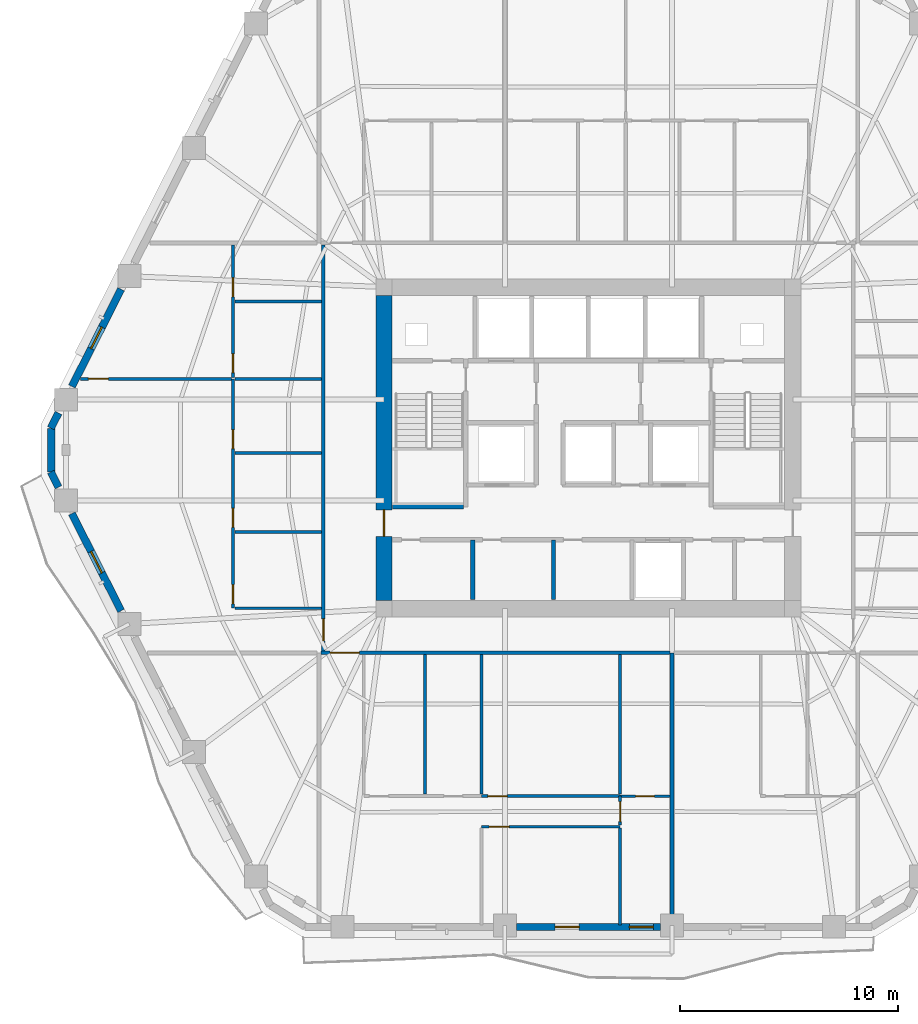
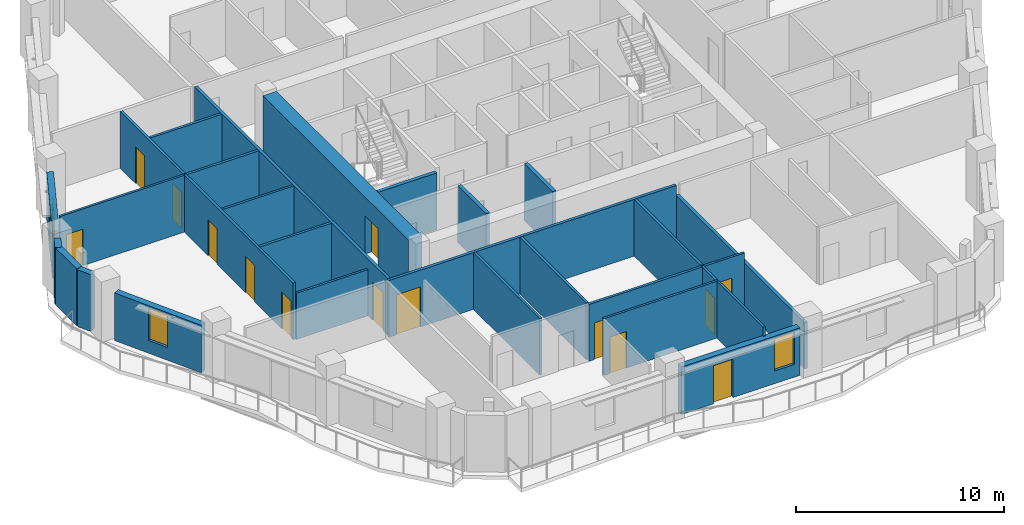
# One storey, part 4 of 12: 29 walls, 14 doors, 3 windows, 17 openings.
"""IFC4 building model written with IfcOpenShell, lengths in metres."""

from ifc_helpers import new_model, si_unit, direction, frame, frame_2d, origin, place, context, subcontext, project, spatial, rectangle, extrude, material, layer, layer_set, type_object, element, fill, save


model = new_model("IFC4")

# Units and contexts
model_context = context("Model", 3, precision=1e-05, world=origin(), true_north=direction((0.0, 1.0)))
body_context = subcontext(model_context, "Body", "Model", "MODEL_VIEW")
ifc_project = project(units=[si_unit("LENGTHUNIT", "METRE"), si_unit("AREAUNIT", "SQUARE_METRE"), si_unit("VOLUMEUNIT", "CUBIC_METRE"), si_unit("PLANEANGLEUNIT", "RADIAN"), si_unit("MASSUNIT", "GRAM", prefix="KILO")], contexts=[model_context])

# Site, building, storey
site_placement = place(None, origin())
site = spatial("IfcSite", under=ifc_project, at=site_placement, CompositionType="ELEMENT")
building_placement = place(site_placement, origin())
building = spatial("IfcBuilding", under=site, at=building_placement, Name="Cinnabar Lancet Tower", CompositionType="ELEMENT")
storey_placement = place(building_placement, frame((0.0, 0.0, 109.050048828125)))
storey = spatial("IfcBuildingStorey", under=building, at=storey_placement, Name="L28", CompositionType="ELEMENT", Elevation=109.050048828125)

# Wall, opening, door
ifc_material_1 = material(Name="Acoustic twin-stud gypsum partition", Category="gypsum")
ifc_layer_1 = layer(ifc_material_1, 0.159912109375)
ifc_layer_set_1 = layer_set([ifc_layer_1], Name="Acoustic twin-stud gypsum partition")
wall_type_1 = type_object("IfcWallType", Name="ARC-WL-CORR-160", PredefinedType="PARTITIONING", material=ifc_layer_set_1)
wall_1_placement = place(storey_placement, frame((20.14501953125, 16.5, 0.0), z_axis=(0.0, 0.0, 1.0), x_axis=(1.0, 0.0, 0.0)))
wall_1 = element("IfcWall", 1, at=wall_1_placement, inside=storey, type_object=wall_type_1, Name="L28 Unit S01 Corridor Wall", PredefinedType="PARTITIONING", context=body_context, shape_type="SweptSolid", body=[
    extrude(rectangle(XDim=15.991943359375, YDim=0.159912109375, at=frame_2d((7.99609375, 0.0))), origin(), (0.0, 0.0, 1.0), 3.33984375),
])
opening_1_placement = place(wall_1_placement, frame((0.405029296875, 0.0, 0.0)))
opening_1 = element("IfcOpeningElement", 2, at=opening_1_placement, cuts=wall_1, Name="Opening UD-02", PredefinedType="OPENING", context=body_context, shape_type="SweptSolid", body=[
    extrude(rectangle(XDim=1.35009765625, YDim=2.35009765625, at=frame_2d((0.675048828125, 1.175048828125))), frame((0.0, 0.08984375, 0.0), z_axis=(0.0, -1.0, 0.0), x_axis=(1.0, 0.0, 0.0)), (0.0, 0.0, 1.0), 0.179931640625),
])
ifc_material_2 = material(Name="Double-leaf solid timber penthouse entrance door", Category="wood")
door_type_1 = type_object("IfcDoorType", Name="ARC-DR-UNIT-PH", OperationType="NOTDEFINED", PredefinedType="DOOR", material=ifc_material_2)
door_1_placement = place(opening_1_placement, origin())
door_1 = element("IfcDoor", 3, at=door_1_placement, inside=storey, type_object=door_type_1, Name="DR-L28-S01-ENT", OperationType="SINGLE_SWING_LEFT", OverallHeight=2.35009765625, OverallWidth=1.35009765625, PredefinedType="DOOR", context=body_context, shape_type="SweptSolid", body=[
    extrude(rectangle(XDim=1.35009765625, YDim=2.35009765625, at=frame_2d((0.675048828125, 1.175048828125))), frame((0.0, 0.02490234375, 0.0), z_axis=(0.0, -1.0, 0.0), x_axis=(1.0, 0.0, 0.0)), (0.0, 0.0, 1.0), 0.050048828125),
])
fill(opening_1, door_1)

wall_2_placement = place(storey_placement, frame((20.25, 16.594970703125, 0.0), z_axis=(0.0, 0.0, 1.0), x_axis=(0.0, 1.0, 0.0)))
wall_2 = element("IfcWall", 4, at=wall_2_placement, inside=storey, type_object=wall_type_1, Name="UW-L28-W01-COR", PredefinedType="PARTITIONING", context=body_context, shape_type="SweptSolid", body=[
    extrude(rectangle(XDim=18.610107421875, YDim=0.159912109375, at=frame_2d((9.30517578125, 0.0))), origin(), (0.0, 0.0, 1.0), 3.33984375),
])
opening_2_placement = place(wall_2_placement, frame((0.449951171875, 0.0, 0.0)))
opening_2 = element("IfcOpeningElement", 5, at=opening_2_placement, cuts=wall_2, Name="Opening UD-01", PredefinedType="OPENING", context=body_context, shape_type="SweptSolid", body=[
    extrude(rectangle(XDim=1.02001953125, YDim=2.25, at=frame_2d((0.510009765625, 1.125))), frame((0.0, 0.08984375, 0.0), z_axis=(0.0, -1.0, 0.0), x_axis=(1.0, 0.0, 0.0)), (0.0, 0.0, 1.0), 0.179931640625),
])
ifc_material_3 = material(Name="Solid timber fire-rated apartment entrance door", Category="wood")
door_type_2 = type_object("IfcDoorType", Name="ARC-DR-UNIT", OperationType="NOTDEFINED", PredefinedType="DOOR", material=ifc_material_3)
door_2_placement = place(opening_2_placement, origin())
door_2 = element("IfcDoor", 6, at=door_2_placement, inside=storey, type_object=door_type_2, Name="DR-L28-W01-ENT", OperationType="SINGLE_SWING_LEFT", OverallHeight=2.25, OverallWidth=1.02001953125, PredefinedType="DOOR", context=body_context, shape_type="SweptSolid", body=[
    extrude(rectangle(XDim=1.02001953125, YDim=2.25, at=frame_2d((0.510009765625, 1.125))), frame((0.0, 0.02490234375, 0.0), z_axis=(0.0, -1.0, 0.0), x_axis=(1.0, 0.0, 0.0)), (0.0, 0.0, 1.0), 0.050048828125),
])
fill(opening_2, door_2)

# Walls
ifc_material_4 = material(Name="Fire-rated twin-frame acoustic drywall", Category="gypsum")
ifc_layer_2 = layer(ifc_material_4, 0.179931640625)
ifc_layer_set_2 = layer_set([ifc_layer_2], Name="Fire-rated twin-frame acoustic drywall")
wall_type_2 = type_object("IfcWallType", Name="ARC-WL-PARTY-180", PredefinedType="PARTITIONING", material=ifc_layer_set_2)
wall_3_placement = place(storey_placement, frame((36.23193359375, 4.10498046875, 0.0), z_axis=(0.0, 0.0, 1.0), x_axis=(0.0, 1.0, 0.0)))
element("IfcWall", 7, at=wall_3_placement, inside=storey, type_object=wall_type_2, Name="PW-L28-SPTY-362", PredefinedType="PARTITIONING", context=body_context, shape_type="SweptSolid", body=[
    extrude(rectangle(XDim=12.39501953125, YDim=0.179931640625, at=frame_2d((6.197509765625, 0.0))), origin(), (0.0, 0.0, 1.0), 2.721923828125),
])
ifc_material_5 = material(Name="Autoclaved aerated concrete blockwork", Category="masonry")
ifc_layer_3 = layer(ifc_material_5, 0.199951171875)
ifc_layer_set_3 = layer_set([ifc_layer_3], Name="Autoclaved aerated concrete blockwork")
wall_type_3 = type_object("IfcWallType", Name="ARC-WL-SHAFT-200", PredefinedType="PLUMBINGWALL", material=ifc_layer_set_3)
wall_4_placement = place(storey_placement, frame((23.405029296875, 23.199951171875, 0.0), z_axis=(0.0, 0.0, 1.0), x_axis=(1.0, 0.0, 0.0)))
element("IfcWall", 8, at=wall_4_placement, inside=storey, type_object=wall_type_3, Name="CW-ST1S-L28", PredefinedType="PLUMBINGWALL", context=body_context, shape_type="SweptSolid", body=[
    extrude(rectangle(XDim=3.27001953125, YDim=0.199951171875, at=frame_2d((1.635009765625, 0.0))), origin(), (0.0, 0.0, 1.0), 3.33984375),
])
for number, where, z_axis, x_axis, name in (
    (9, (27.10009765625, 18.949951171875, 0.0), (0.0, 0.0, 1.0), (0.0, 1.0, 0.0), "CW-SB-2710-L28"),
    (10, (30.800048828125, 18.949951171875, 0.0), (0.0, 0.0, 1.0), (0.0, 1.0, 0.0), "CW-SB-3080-L28"),
):
    element("IfcWall", number, at=place(storey_placement, frame(where, z_axis=z_axis, x_axis=x_axis)), inside=storey, type_object=wall_type_3, Name=name, PredefinedType="PLUMBINGWALL", context=body_context, shape_type="SweptSolid", body=[
        extrude(rectangle(XDim=2.72998046875, YDim=0.199951171875, at=frame_2d((1.364990234375, 0.0))), origin(), (0.0, 0.0, 1.0), 3.33984375),
    ])

# Wall, opening, door
ifc_material_6 = material(Name="Gypsum plasterboard stud partition", Category="gypsum")
ifc_layer_4 = layer(ifc_material_6, 0.125)
ifc_layer_set_4 = layer_set([ifc_layer_4], Name="Gypsum plasterboard stud partition")
wall_type_4 = type_object("IfcWallType", Name="ARC-WL-UNIT-125", PredefinedType="PARTITIONING", material=ifc_layer_set_4)
wall_5_placement = place(storey_placement, frame((33.85009765625, 9.930908203125, 0.0), z_axis=(0.0, 0.0, 1.0), x_axis=(1.0, 0.0, 0.0)))
wall_5 = element("IfcWall", 11, at=wall_5_placement, inside=storey, type_object=wall_type_4, Name="UW-L28-S01-SP2", PredefinedType="PARTITIONING", context=body_context, shape_type="SweptSolid", body=[
    extrude(rectangle(XDim=2.286865234375, YDim=0.125, at=frame_2d((1.1435546875, 0.0))), origin(), (0.0, 0.0, 1.0), 3.33984375),
])
opening_3_placement = place(wall_5_placement, frame((0.718017578125, 0.0, 0.0)))
opening_3 = element("IfcOpeningElement", 12, at=opening_3_placement, cuts=wall_5, Name="Opening BD-01", PredefinedType="OPENING", context=body_context, shape_type="SweptSolid", body=[
    extrude(rectangle(XDim=0.860107421875, YDim=2.10009765625, at=frame_2d((0.43017578125, 1.050048828125))), frame((0.0, 0.072509765625, 0.0), z_axis=(0.0, -1.0, 0.0), x_axis=(1.0, 0.0, 0.0)), (0.0, 0.0, 1.0), 0.14501953125),
])
ifc_material_7 = material(Name="Moisture-resistant timber bathroom door", Category="wood")
door_type_3 = type_object("IfcDoorType", Name="ARC-DR-BATH", OperationType="NOTDEFINED", PredefinedType="DOOR", material=ifc_material_7)
door_3_placement = place(opening_3_placement, origin())
door_3 = element("IfcDoor", 13, at=door_3_placement, inside=storey, type_object=door_type_3, Name="DR-L28-S01-ENS", OperationType="SINGLE_SWING_LEFT", OverallHeight=2.10009765625, OverallWidth=0.860107421875, PredefinedType="DOOR", context=body_context, shape_type="SweptSolid", body=[
    extrude(rectangle(XDim=0.860107421875, YDim=2.10009765625, at=frame_2d((0.43017578125, 1.050048828125))), frame((0.0, 0.02490234375, 0.0), z_axis=(0.0, -1.0, 0.0), x_axis=(1.0, 0.0, 0.0)), (0.0, 0.0, 1.0), 0.050048828125),
])
fill(opening_3, door_3)

wall_6_placement = place(storey_placement, frame((27.493896484375, 8.531005859375, 0.0), z_axis=(0.0, 0.0, 1.0), x_axis=(1.0, 0.0, 0.0)))
wall_6 = element("IfcWall", 14, at=wall_6_placement, inside=storey, type_object=wall_type_4, Name="UW-L28-S01-HLN", PredefinedType="PARTITIONING", context=body_context, shape_type="SweptSolid", body=[
    extrude(rectangle(XDim=6.356201171875, YDim=0.125, at=frame_2d((3.17822265625, 0.0))), origin(), (0.0, 0.0, 1.0), 3.33984375),
])
opening_4_placement = place(wall_6_placement, frame((0.35009765625, 0.0, 0.0)))
opening_4 = element("IfcOpeningElement", 15, at=opening_4_placement, cuts=wall_6, Name="Opening RD-01", PredefinedType="OPENING", context=body_context, shape_type="SweptSolid", body=[
    extrude(rectangle(XDim=0.919921875, YDim=2.14990234375, at=frame_2d((0.4599609375, 1.074951171875))), frame((0.0, 0.072509765625, 0.0), z_axis=(0.0, -1.0, 0.0), x_axis=(1.0, 0.0, 0.0)), (0.0, 0.0, 1.0), 0.14501953125),
])
ifc_material_8 = material(Name="Engineered timber bedroom door", Category="wood")
door_type_4 = type_object("IfcDoorType", Name="ARC-DR-ROOM", OperationType="NOTDEFINED", PredefinedType="DOOR", material=ifc_material_8)
door_4_placement = place(opening_4_placement, origin())
door_4 = element("IfcDoor", 16, at=door_4_placement, inside=storey, type_object=door_type_4, Name="DR-L28-S01-BD2", OperationType="SINGLE_SWING_RIGHT", OverallHeight=2.14990234375, OverallWidth=0.919921875, PredefinedType="DOOR", context=body_context, shape_type="SweptSolid", body=[
    extrude(rectangle(XDim=0.919921875, YDim=2.14990234375, at=frame_2d((0.4599609375, 1.074951171875))), frame((0.0, 0.02490234375, 0.0), z_axis=(0.0, -1.0, 0.0), x_axis=(1.0, 0.0, 0.0)), (0.0, 0.0, 1.0), 0.050048828125),
])
fill(opening_4, door_4)

wall_7_placement = place(storey_placement, frame((33.85009765625, 8.60107421875, 0.0), z_axis=(0.0, 0.0, 1.0), x_axis=(0.0, 1.0, 0.0)))
wall_7 = element("IfcWall", 17, at=wall_7_placement, inside=storey, type_object=wall_type_4, Name="UW-L28-S01-MBE", PredefinedType="PARTITIONING", context=body_context, shape_type="SweptSolid", body=[
    extrude(rectangle(XDim=1.329833984375, YDim=0.125, at=frame_2d((0.6650390625, 0.0))), origin(), (0.0, 0.0, 1.0), 3.33984375),
])
opening_5_placement = place(wall_7_placement, frame((0.159912109375, 0.0, 0.0)))
opening_5 = element("IfcOpeningElement", 18, at=opening_5_placement, cuts=wall_7, Name="Opening RD-01", PredefinedType="OPENING", context=body_context, shape_type="SweptSolid", body=[
    extrude(rectangle(XDim=0.919921875, YDim=2.14990234375, at=frame_2d((0.4599609375, 1.074951171875))), frame((0.0, 0.072509765625, 0.0), z_axis=(0.0, -1.0, 0.0), x_axis=(1.0, 0.0, 0.0)), (0.0, 0.0, 1.0), 0.14501953125),
])
door_5_placement = place(opening_5_placement, origin())
door_5 = element("IfcDoor", 19, at=door_5_placement, inside=storey, type_object=door_type_4, Name="DR-L28-S01-MBD", OperationType="SINGLE_SWING_RIGHT", OverallHeight=2.14990234375, OverallWidth=0.919921875, PredefinedType="DOOR", context=body_context, shape_type="SweptSolid", body=[
    extrude(rectangle(XDim=0.919921875, YDim=2.14990234375, at=frame_2d((0.4599609375, 1.074951171875))), frame((0.0, 0.02490234375, 0.0), z_axis=(0.0, -1.0, 0.0), x_axis=(1.0, 0.0, 0.0)), (0.0, 0.0, 1.0), 0.050048828125),
])
fill(opening_5, door_5)

# Walls
wall_8_placement = place(storey_placement, frame((33.85009765625, 4.014892578125, 0.0), z_axis=(0.0, 0.0, 1.0), x_axis=(0.0, 1.0, 0.0)))
element("IfcWall", 20, at=wall_8_placement, inside=storey, type_object=wall_type_4, Name="UW-L28-S01-MB2W", PredefinedType="PARTITIONING", context=body_context, shape_type="SweptSolid", body=[
    extrude(rectangle(XDim=4.451171875, YDim=0.125, at=frame_2d((2.2255859375, 0.0))), origin(), (0.0, 0.0, 1.0), 3.33984375),
])
wall_9_placement = place(storey_placement, frame((16.18505859375, 18.550048828125, 0.0), z_axis=(0.0, 0.0, 1.0), x_axis=(1.0, 0.0, 0.0)))
element("IfcWall", 21, at=wall_9_placement, inside=storey, type_object=wall_type_4, Name="UW-L28-W01-FOYN", PredefinedType="PARTITIONING", context=body_context, shape_type="SweptSolid", body=[
    extrude(rectangle(XDim=3.97998046875, YDim=0.125, at=frame_2d((1.989990234375, 0.0))), origin(), (0.0, 0.0, 1.0), 2.721923828125),
])

# Wall, opening, door
wall_10_placement = place(storey_placement, frame((9.115966796875, 29.06396484375, 0.0), z_axis=(0.0, 0.0, 1.0), x_axis=(1.0, 0.0, 0.0)))
wall_10 = element("IfcWall", 22, at=wall_10_placement, inside=storey, type_object=wall_type_4, Name="UW-L28-W01-MBN", PredefinedType="PARTITIONING", context=body_context, shape_type="SweptSolid", body=[
    extrude(rectangle(XDim=6.908935546875, YDim=0.125, at=frame_2d((3.45458984375, 0.0))), origin(), (0.0, 0.0, 1.0), 3.33984375),
])
opening_6_placement = place(wall_10_placement, frame((0.35009765625, 0.0, 0.0)))
opening_6 = element("IfcOpeningElement", 23, at=opening_6_placement, cuts=wall_10, Name="Opening RD-01", PredefinedType="OPENING", context=body_context, shape_type="SweptSolid", body=[
    extrude(rectangle(XDim=0.919921875, YDim=2.14990234375, at=frame_2d((0.4599609375, 1.074951171875))), frame((0.0, 0.072509765625, 0.0), z_axis=(0.0, -1.0, 0.0), x_axis=(1.0, 0.0, 0.0)), (0.0, 0.0, 1.0), 0.14501953125),
])
door_6_placement = place(opening_6_placement, origin())
door_6 = element("IfcDoor", 24, at=door_6_placement, inside=storey, type_object=door_type_4, Name="DR-L28-W01-MBD", OperationType="SINGLE_SWING_LEFT", OverallHeight=2.14990234375, OverallWidth=0.919921875, PredefinedType="DOOR", context=body_context, shape_type="SweptSolid", body=[
    extrude(rectangle(XDim=0.919921875, YDim=2.14990234375, at=frame_2d((0.4599609375, 1.074951171875))), frame((0.0, 0.02490234375, 0.0), z_axis=(0.0, -1.0, 0.0), x_axis=(1.0, 0.0, 0.0)), (0.0, 0.0, 1.0), 0.050048828125),
])
fill(opening_6, door_6)

# Wall
wall_11_placement = place(storey_placement, frame((16.18505859375, 25.6640625, 0.0), z_axis=(0.0, 0.0, 1.0), x_axis=(1.0, 0.0, 0.0)))
element("IfcWall", 25, at=wall_11_placement, inside=storey, type_object=wall_type_4, Name="UW-L28-W01-UDV", PredefinedType="PARTITIONING", context=body_context, shape_type="SweptSolid", body=[
    extrude(rectangle(XDim=3.97998046875, YDim=0.125, at=frame_2d((1.989990234375, 0.0))), origin(), (0.0, 0.0, 1.0), 3.33984375),
])

# Wall, opening, door
ifc_material_9 = material(Name="Moisture-resistant cement-board plumbing wall", Category="masonry")
ifc_layer_5 = layer(ifc_material_9, 0.139892578125)
ifc_layer_set_5 = layer_set([ifc_layer_5], Name="Moisture-resistant cement-board plumbing wall")
wall_type_5 = type_object("IfcWallType", Name="ARC-WL-WET-140", PredefinedType="PLUMBINGWALL", material=ifc_layer_set_5)
wall_12_placement = place(storey_placement, frame((27.493896484375, 9.930908203125, 0.0), z_axis=(0.0, 0.0, 1.0), x_axis=(1.0, 0.0, 0.0)))
wall_12 = element("IfcWall", 26, at=wall_12_placement, inside=storey, type_object=wall_type_5, Name="UW-L28-S01-SPM", PredefinedType="PLUMBINGWALL", context=body_context, shape_type="SweptSolid", body=[
    extrude(rectangle(XDim=6.356201171875, YDim=0.139892578125, at=frame_2d((3.17822265625, 0.0))), origin(), (0.0, 0.0, 1.0), 3.33984375),
])
opening_7_placement = place(wall_12_placement, frame((0.300048828125, 0.0, 0.0)))
opening_7 = element("IfcOpeningElement", 27, at=opening_7_placement, cuts=wall_12, Name="Opening RD-02", PredefinedType="OPENING", context=body_context, shape_type="SweptSolid", body=[
    extrude(rectangle(XDim=0.8798828125, YDim=2.14990234375, at=frame_2d((0.43994140625, 1.074951171875))), frame((0.0, 0.079833984375, 0.0), z_axis=(0.0, -1.0, 0.0), x_axis=(1.0, 0.0, 0.0)), (0.0, 0.0, 1.0), 0.159912109375),
])
ifc_material_10 = material(Name="Engineered timber study door", Category="wood")
door_type_5 = type_object("IfcDoorType", Name="ARC-DR-STUDY", OperationType="NOTDEFINED", PredefinedType="DOOR", material=ifc_material_10)
door_7_placement = place(opening_7_placement, origin())
door_7 = element("IfcDoor", 28, at=door_7_placement, inside=storey, type_object=door_type_5, Name="DR-L28-S01-UTL", OperationType="SINGLE_SWING_LEFT", OverallHeight=2.14990234375, OverallWidth=0.8798828125, PredefinedType="DOOR", context=body_context, shape_type="SweptSolid", body=[
    extrude(rectangle(XDim=0.8798828125, YDim=2.14990234375, at=frame_2d((0.43994140625, 1.074951171875))), frame((0.0, 0.02490234375, 0.0), z_axis=(0.0, -1.0, 0.0), x_axis=(1.0, 0.0, 0.0)), (0.0, 0.0, 1.0), 0.050048828125),
])
fill(opening_7, door_7)

# Walls
for number, where, z_axis, x_axis, name in (
    (29, (24.905029296875, 10.035888671875, 0.0), (0.0, 0.0, 1.0), (0.0, 1.0, 0.0), "UW-L28-S01-KDV"),
    (30, (27.493896484375, 10.035888671875, 0.0), (0.0, 0.0, 1.0), (0.0, 1.0, 0.0), "UW-L28-S01-ENSW"),
    (31, (33.85009765625, 10.035888671875, 0.0), (0.0, 0.0, 1.0), (0.0, 1.0, 0.0), "UW-L28-S01-ENSE"),
):
    element("IfcWall", number, at=place(storey_placement, frame(where, z_axis=z_axis, x_axis=x_axis)), inside=storey, type_object=wall_type_5, Name=name, PredefinedType="PLUMBINGWALL", context=body_context, shape_type="SweptSolid", body=[
        extrude(rectangle(XDim=6.379150390625, YDim=0.139892578125, at=frame_2d((3.189453125, 0.0))), origin(), (0.0, 0.0, 1.0), 3.33984375),
    ])

# Wall, openings, doors
wall_13_placement = place(storey_placement, frame((16.10009765625, 18.550048828125, 0.0), z_axis=(0.0, 0.0, 1.0), x_axis=(0.0, 1.0, 0.0)))
wall_13 = element("IfcWall", 32, at=wall_13_placement, inside=storey, type_object=wall_type_5, Name="UW-L28-W01-SPL", PredefinedType="PLUMBINGWALL", context=body_context, shape_type="SweptSolid", body=[
    extrude(rectangle(XDim=10.513916015625, YDim=0.139892578125, at=frame_2d((5.2568359375, 0.0))), origin(), (0.0, 0.0, 1.0), 3.33984375),
])
opening_8_placement = place(wall_13_placement, frame((0.199951171875, 0.0, 0.0)))
opening_8 = element("IfcOpeningElement", 33, at=opening_8_placement, cuts=wall_13, Name="Opening RD-02", PredefinedType="OPENING", context=body_context, shape_type="SweptSolid", body=[
    extrude(rectangle(XDim=0.8798828125, YDim=2.14990234375, at=frame_2d((0.43994140625, 1.074951171875))), frame((0.0, 0.079833984375, 0.0), z_axis=(0.0, -1.0, 0.0), x_axis=(1.0, 0.0, 0.0)), (0.0, 0.0, 1.0), 0.159912109375),
])
opening_9_placement = place(wall_13_placement, frame((3.699951171875, 0.0, 0.0)))
opening_9 = element("IfcOpeningElement", 34, at=opening_9_placement, cuts=wall_13, Name="Opening RD-02", PredefinedType="OPENING", context=body_context, shape_type="SweptSolid", body=[
    extrude(rectangle(XDim=0.8798828125, YDim=2.14990234375, at=frame_2d((0.43994140625, 1.074951171875))), frame((0.0, 0.079833984375, 0.0), z_axis=(0.0, -1.0, 0.0), x_axis=(1.0, 0.0, 0.0)), (0.0, 0.0, 1.0), 0.159912109375),
])
opening_10_placement = place(wall_13_placement, frame((7.31396484375, 0.0, 0.0)))
opening_10 = element("IfcOpeningElement", 35, at=opening_10_placement, cuts=wall_13, Name="Opening BD-01", PredefinedType="OPENING", context=body_context, shape_type="SweptSolid", body=[
    extrude(rectangle(XDim=0.860107421875, YDim=2.10009765625, at=frame_2d((0.43017578125, 1.050048828125))), frame((0.0, 0.079833984375, 0.0), z_axis=(0.0, -1.0, 0.0), x_axis=(1.0, 0.0, 0.0)), (0.0, 0.0, 1.0), 0.159912109375),
])
door_8_placement = place(opening_10_placement, origin())
door_8 = element("IfcDoor", 36, at=door_8_placement, inside=storey, type_object=door_type_3, Name="DR-L28-W01-BTH", OperationType="SINGLE_SWING_RIGHT", OverallHeight=2.10009765625, OverallWidth=0.860107421875, PredefinedType="DOOR", context=body_context, shape_type="SweptSolid", body=[
    extrude(rectangle(XDim=0.860107421875, YDim=2.10009765625, at=frame_2d((0.43017578125, 1.050048828125))), frame((0.0, 0.02490234375, 0.0), z_axis=(0.0, -1.0, 0.0), x_axis=(1.0, 0.0, 0.0)), (0.0, 0.0, 1.0), 0.050048828125),
])
fill(opening_10, door_8)
door_9_placement = place(opening_8_placement, origin())
door_9 = element("IfcDoor", 37, at=door_9_placement, inside=storey, type_object=door_type_5, Name="DR-L28-W01-KIT", OperationType="SINGLE_SWING_RIGHT", OverallHeight=2.14990234375, OverallWidth=0.8798828125, PredefinedType="DOOR", context=body_context, shape_type="SweptSolid", body=[
    extrude(rectangle(XDim=0.8798828125, YDim=2.14990234375, at=frame_2d((0.43994140625, 1.074951171875))), frame((0.0, 0.02490234375, 0.0), z_axis=(0.0, -1.0, 0.0), x_axis=(1.0, 0.0, 0.0)), (0.0, 0.0, 1.0), 0.050048828125),
])
fill(opening_8, door_9)
door_10_placement = place(opening_9_placement, origin())
door_10 = element("IfcDoor", 38, at=door_10_placement, inside=storey, type_object=door_type_5, Name="DR-L28-W01-UTL", OperationType="SINGLE_SWING_LEFT", OverallHeight=2.14990234375, OverallWidth=0.8798828125, PredefinedType="DOOR", context=body_context, shape_type="SweptSolid", body=[
    extrude(rectangle(XDim=0.8798828125, YDim=2.14990234375, at=frame_2d((0.43994140625, 1.074951171875))), frame((0.0, 0.02490234375, 0.0), z_axis=(0.0, -1.0, 0.0), x_axis=(1.0, 0.0, 0.0)), (0.0, 0.0, 1.0), 0.050048828125),
])
fill(opening_9, door_10)

wall_14_placement = place(storey_placement, frame((16.10009765625, 29.134033203125, 0.0), z_axis=(0.0, 0.0, 1.0), x_axis=(0.0, 1.0, 0.0)))
wall_14 = element("IfcWall", 39, at=wall_14_placement, inside=storey, type_object=wall_type_5, Name="UW-L28-W01-SPM", PredefinedType="PLUMBINGWALL", context=body_context, shape_type="SweptSolid", body=[
    extrude(rectangle(XDim=6.071044921875, YDim=0.139892578125, at=frame_2d((3.03564453125, 0.0))), origin(), (0.0, 0.0, 1.0), 3.33984375),
])
opening_11_placement = place(wall_14_placement, frame((0.219970703125, 0.0, 0.0)))
opening_11 = element("IfcOpeningElement", 40, at=opening_11_placement, cuts=wall_14, Name="Opening BD-01", PredefinedType="OPENING", context=body_context, shape_type="SweptSolid", body=[
    extrude(rectangle(XDim=0.860107421875, YDim=2.10009765625, at=frame_2d((0.43017578125, 1.050048828125))), frame((0.0, 0.079833984375, 0.0), z_axis=(0.0, -1.0, 0.0), x_axis=(1.0, 0.0, 0.0)), (0.0, 0.0, 1.0), 0.159912109375),
])
opening_12_placement = place(wall_14_placement, frame((3.696044921875, 0.0, 0.0)))
opening_12 = element("IfcOpeningElement", 41, at=opening_12_placement, cuts=wall_14, Name="Opening RD-02", PredefinedType="OPENING", context=body_context, shape_type="SweptSolid", body=[
    extrude(rectangle(XDim=0.8798828125, YDim=2.14990234375, at=frame_2d((0.43994140625, 1.074951171875))), frame((0.0, 0.079833984375, 0.0), z_axis=(0.0, -1.0, 0.0), x_axis=(1.0, 0.0, 0.0)), (0.0, 0.0, 1.0), 0.159912109375),
])
door_11_placement = place(opening_11_placement, origin())
door_11 = element("IfcDoor", 42, at=door_11_placement, inside=storey, type_object=door_type_3, Name="DR-L28-W01-ENS", OperationType="SINGLE_SWING_LEFT", OverallHeight=2.10009765625, OverallWidth=0.860107421875, PredefinedType="DOOR", context=body_context, shape_type="SweptSolid", body=[
    extrude(rectangle(XDim=0.860107421875, YDim=2.10009765625, at=frame_2d((0.43017578125, 1.050048828125))), frame((0.0, 0.02490234375, 0.0), z_axis=(0.0, -1.0, 0.0), x_axis=(1.0, 0.0, 0.0)), (0.0, 0.0, 1.0), 0.050048828125),
])
fill(opening_11, door_11)
door_12_placement = place(opening_12_placement, origin())
door_12 = element("IfcDoor", 43, at=door_12_placement, inside=storey, type_object=door_type_5, Name="DR-L28-W01-EWDR", OperationType="SINGLE_SWING_RIGHT", OverallHeight=2.14990234375, OverallWidth=0.8798828125, PredefinedType="DOOR", context=body_context, shape_type="SweptSolid", body=[
    extrude(rectangle(XDim=0.8798828125, YDim=2.14990234375, at=frame_2d((0.43994140625, 1.074951171875))), frame((0.0, 0.02490234375, 0.0), z_axis=(0.0, -1.0, 0.0), x_axis=(1.0, 0.0, 0.0)), (0.0, 0.0, 1.0), 0.050048828125),
])
fill(opening_12, door_12)

# Walls
for number, where, z_axis, x_axis, name in (
    (44, (16.18505859375, 29.06396484375, 0.0), (0.0, 0.0, 1.0), (1.0, 0.0, 0.0), "UW-L28-W01-ENSN"),
    (45, (16.18505859375, 22.050048828125, 0.0), (0.0, 0.0, 1.0), (1.0, 0.0, 0.0), "UW-L28-W01-KDV"),
    (46, (16.18505859375, 32.610107421875, 0.0), (0.0, 0.0, 1.0), (1.0, 0.0, 0.0), "UW-L28-W01-EWDV"),
):
    element("IfcWall", number, at=place(storey_placement, frame(where, z_axis=z_axis, x_axis=x_axis)), inside=storey, type_object=wall_type_5, Name=name, PredefinedType="PLUMBINGWALL", context=body_context, shape_type="SweptSolid", body=[
        extrude(rectangle(XDim=3.97998046875, YDim=0.139892578125, at=frame_2d((1.989990234375, 0.0))), origin(), (0.0, 0.0, 1.0), 3.33984375),
    ])
ifc_material_11 = material(Name="Cinnabar red clay brick", Category="masonry")
ifc_layer_6 = layer(ifc_material_11, 0.340087890625)
ifc_layer_set_6 = layer_set([ifc_layer_6], Name="Cinnabar red clay brick")
wall_type_6 = type_object("IfcWallType", Name="ENV-WL-BRK-RED-340", PredefinedType="STANDARD", material=ifc_layer_set_6)
wall_15_placement = place(storey_placement, frame((7.76708984375, 26.797119140625, 0.0), z_axis=(0.0, 0.0, 1.0), x_axis=(0.0, -1.0, 0.0)))
element("IfcWall", 47, at=wall_15_placement, inside=storey, type_object=wall_type_6, Name="L28 Chamfered Corner Brick Pier 6.1", PredefinedType="STANDARD", context=body_context, shape_type="SweptSolid", body=[
    extrude(rectangle(XDim=1.994140625, YDim=0.340087890625, at=frame_2d((0.9970703125, 0.0))), origin(), (0.0, 0.0, 1.0), 3.33984375),
])

# Wall, openings, door, window
wall_16_placement = place(storey_placement, frame((29.096923828125, 3.929931640625, 0.0), z_axis=(0.0, 0.0, 1.0), x_axis=(1.0, 0.0, 0.0)))
wall_16 = element("IfcWall", 48, at=wall_16_placement, inside=storey, type_object=wall_type_6, Name="L28 Face 1 Masonry Bay Wall 3", PredefinedType="STANDARD", context=body_context, shape_type="SweptSolid", body=[
    extrude(rectangle(XDim=6.60595703125, YDim=0.340087890625, at=frame_2d((3.302978515625, 0.0))), origin(), (0.0, 0.0, 1.0), 2.796875),
])
opening_13_placement = place(wall_16_placement, frame((1.77490234375, 0.0, 0.0)))
opening_13 = element("IfcOpeningElement", 49, at=opening_13_placement, cuts=wall_16, Name="Opening TD-01", PredefinedType="OPENING", context=body_context, shape_type="SweptSolid", body=[
    extrude(rectangle(XDim=1.10009765625, YDim=2.25, at=frame_2d((0.550048828125, 1.125))), frame((0.0, 0.179931640625, 0.0), z_axis=(0.0, -1.0, 0.0), x_axis=(1.0, 0.0, 0.0)), (0.0, 0.0, 1.0), 0.360107421875),
])
opening_14_placement = place(wall_16_placement, frame((5.18603515625, 0.0, 0.75)))
opening_14 = element("IfcOpeningElement", 50, at=opening_14_placement, cuts=wall_16, Name="Opening WN-04", PredefinedType="OPENING", context=body_context, shape_type="SweptSolid", body=[
    extrude(rectangle(XDim=1.10009765625, YDim=1.89697265625, at=frame_2d((0.550048828125, 0.948486328125))), frame((0.0, 0.179931640625, 0.0), z_axis=(0.0, -1.0, 0.0), x_axis=(1.0, 0.0, 0.0)), (0.0, 0.0, 1.0), 0.360107421875),
])
ifc_material_12 = material(Name="Thermally broken low-E glazed balcony terrace door", Category="wood")
door_type_6 = type_object("IfcDoorType", Name="ARC-DR-BALC", OperationType="NOTDEFINED", PredefinedType="DOOR", material=ifc_material_12)
door_13_placement = place(opening_13_placement, origin())
door_13 = element("IfcDoor", 51, at=door_13_placement, inside=storey, type_object=door_type_6, Name="L28 Face 1 Glazed Terrace Door", OperationType="SINGLE_SWING_LEFT", OverallHeight=2.25, OverallWidth=1.10009765625, PredefinedType="DOOR", context=body_context, shape_type="SweptSolid", body=[
    extrude(rectangle(XDim=1.10009765625, YDim=2.25, at=frame_2d((0.550048828125, 1.125))), frame((0.0, 0.02490234375, 0.0), z_axis=(0.0, -1.0, 0.0), x_axis=(1.0, 0.0, 0.0)), (0.0, 0.0, 1.0), 0.050048828125),
])
fill(opening_13, door_13)
ifc_material_13 = material(Name="Thermally broken bronze-anodized aluminium tall lancet window", Category="aluminium")
window_type = type_object("IfcWindowType", Name="ENV-WN-LANCET-1100", PartitioningType="SINGLE_PANEL", PredefinedType="WINDOW", material=ifc_material_13)
window_1_placement = place(opening_14_placement, origin())
window_1 = element("IfcWindow", 52, at=window_1_placement, inside=storey, type_object=window_type, Name="L28 Split-Bay Gothic Lancet Window 91", OverallHeight=1.89697265625, OverallWidth=1.10009765625, PartitioningType="SINGLE_PANEL", PredefinedType="WINDOW", context=body_context, shape_type="SweptSolid", body=[
    extrude(rectangle(XDim=1.10009765625, YDim=1.89697265625, at=frame_2d((0.550048828125, 0.948486328125))), frame((0.0, 0.030029296875, 0.0), z_axis=(0.0, -1.0, 0.0), x_axis=(1.0, 0.0, 0.0)), (0.0, 0.0, 1.0), 0.06005859375),
])
fill(opening_14, window_1)

# Wall, opening, window
wall_17_placement = place(storey_placement, frame((10.968017578125, 33.172119140625, 0.0), z_axis=(0.0, 0.0, 1.0), x_axis=(-0.451470533039, -0.892286029139, 0.0)))
wall_17 = element("IfcWall", 53, at=wall_17_placement, inside=storey, type_object=wall_type_6, Name="L28 Face 5 Masonry Bay Wall 4", PredefinedType="STANDARD", context=body_context, shape_type="SweptSolid", body=[
    extrude(rectangle(XDim=4.9951171875, YDim=0.340087890625, at=frame_2d((2.49755859375, 0.0))), origin(), (0.0, 0.0, 1.0), 2.796875),
])
opening_15_placement = place(wall_17_placement, frame((1.947021484375, 0.0, 0.75)))
opening_15 = element("IfcOpeningElement", 54, at=opening_15_placement, cuts=wall_17, Name="Opening WN-04", PredefinedType="OPENING", context=body_context, shape_type="SweptSolid", body=[
    extrude(rectangle(XDim=1.10009765625, YDim=1.89697265625, at=frame_2d((0.550048828125, 0.948486328125))), frame((0.0, 0.179931640625, 0.0), z_axis=(0.0, -1.0, 0.0), x_axis=(1.0, 0.0, 0.0)), (0.0, 0.0, 1.0), 0.360107421875),
])
window_2_placement = place(opening_15_placement, origin())
window_2 = element("IfcWindow", 55, at=window_2_placement, inside=storey, type_object=window_type, Name="L28 Face 5 Gothic Lancet Window 4", OverallHeight=1.89697265625, OverallWidth=1.10009765625, PartitioningType="SINGLE_PANEL", PredefinedType="WINDOW", context=body_context, shape_type="SweptSolid", body=[
    extrude(rectangle(XDim=1.10009765625, YDim=1.89697265625, at=frame_2d((0.550048828125, 0.948486328125))), frame((0.0, 0.030029296875, 0.0), z_axis=(0.0, -1.0, 0.0), x_axis=(1.0, 0.0, 0.0)), (0.0, 0.0, 1.0), 0.06005859375),
])
fill(opening_15, window_2)

# Walls
for number, where, z_axis, x_axis, name in (
    (56, (8.10009765625, 27.5029296875, 0.0), (0.0, 0.0, 1.0), (-0.451819324107, -0.89210946546, 0.0), "L28 Face 5 Masonry Bay Wall 5"),
    (57, (7.74609375, 24.7958984375, 0.0), (0.0, 0.0, 1.0), (0.451819324107, -0.89210946546, 0.0), "L28 Face 6 Masonry Bay Wall 1"),
):
    element("IfcWall", number, at=place(storey_placement, frame(where, z_axis=z_axis, x_axis=x_axis)), inside=storey, type_object=wall_type_6, Name=name, PredefinedType="STANDARD", context=body_context, shape_type="SweptSolid", body=[
        extrude(rectangle(XDim=0.783447265625, YDim=0.340087890625, at=frame_2d((0.3916015625, 0.0))), origin(), (0.0, 0.0, 1.0), 3.33984375),
    ])

# Wall, opening, window
wall_18_placement = place(storey_placement, frame((8.712890625, 22.885009765625, 0.0), z_axis=(0.0, 0.0, 1.0), x_axis=(0.451470533039, -0.892286029139, 0.0)))
wall_18 = element("IfcWall", 58, at=wall_18_placement, inside=storey, type_object=wall_type_6, Name="L28 Face 6 Masonry Bay Wall 2", PredefinedType="STANDARD", context=body_context, shape_type="SweptSolid", body=[
    extrude(rectangle(XDim=4.9951171875, YDim=0.340087890625, at=frame_2d((2.49755859375, 0.0))), origin(), (0.0, 0.0, 1.0), 2.796875),
])
opening_16_placement = place(wall_18_placement, frame((1.947021484375, 0.0, 0.75)))
opening_16 = element("IfcOpeningElement", 59, at=opening_16_placement, cuts=wall_18, Name="Opening WN-04", PredefinedType="OPENING", context=body_context, shape_type="SweptSolid", body=[
    extrude(rectangle(XDim=1.10009765625, YDim=1.89697265625, at=frame_2d((0.550048828125, 0.948486328125))), frame((0.0, 0.179931640625, 0.0), z_axis=(0.0, -1.0, 0.0), x_axis=(1.0, 0.0, 0.0)), (0.0, 0.0, 1.0), 0.360107421875),
])
window_3_placement = place(opening_16_placement, origin())
window_3 = element("IfcWindow", 60, at=window_3_placement, inside=storey, type_object=window_type, Name="L28 Face 6 Gothic Lancet Window 2", OverallHeight=1.89697265625, OverallWidth=1.10009765625, PartitioningType="SINGLE_PANEL", PredefinedType="WINDOW", context=body_context, shape_type="SweptSolid", body=[
    extrude(rectangle(XDim=1.10009765625, YDim=1.89697265625, at=frame_2d((0.550048828125, 0.948486328125))), frame((0.0, 0.030029296875, 0.0), z_axis=(0.0, -1.0, 0.0), x_axis=(1.0, 0.0, 0.0)), (0.0, 0.0, 1.0), 0.06005859375),
])
fill(opening_16, window_3)

# Wall, opening, door
ifc_material_14 = material(Name="Concrete C70/85", Category="concrete")
ifc_layer_7 = layer(ifc_material_14, 0.75)
ifc_layer_set_7 = layer_set([ifc_layer_7], Name="Concrete C70/85")
wall_type_7 = type_object("IfcWallType", Name="STR-WL-CORE-750", PredefinedType="SHEAR", material=ifc_layer_set_7)
wall_19_placement = place(storey_placement, frame((23.02490234375, 18.89990234375, 0.0), z_axis=(0.0, 0.0, 1.0), x_axis=(0.0, 1.0, 0.0)))
wall_19 = element("IfcWall", 61, at=wall_19_placement, inside=storey, type_object=wall_type_7, Name="L28 Core Shear Wall W", PredefinedType="SHEAR", context=body_context, shape_type="SweptSolid", body=[
    extrude(rectangle(XDim=14.0, YDim=0.75, at=frame_2d((7.0, 0.0))), origin(), (0.0, 0.0, 1.0), 3.33984375),
])
opening_17_placement = place(wall_19_placement, frame((2.93994140625, 0.0, 0.0)))
opening_17 = element("IfcOpeningElement", 62, at=opening_17_placement, cuts=wall_19, Name="Opening FD-02", PredefinedType="OPENING", context=body_context, shape_type="SweptSolid", body=[
    extrude(rectangle(XDim=1.219970703125, YDim=2.25, at=frame_2d((0.60986328125, 1.125))), frame((0.0, 0.385009765625, 0.0), z_axis=(0.0, -1.0, 0.0), x_axis=(1.0, 0.0, 0.0)), (0.0, 0.0, 1.0), 0.77001953125),
])
ifc_material_15 = material(Name="Fire-rated double-vision core portal door", Category="wood")
door_type_7 = type_object("IfcDoorType", Name="ARC-DR-CPORT", OperationType="NOTDEFINED", PredefinedType="DOOR", material=ifc_material_15)
door_14_placement = place(opening_17_placement, origin())
door_14 = element("IfcDoor", 63, at=door_14_placement, inside=storey, type_object=door_type_7, Name="L28 West Core Lobby Fire Door", OperationType="SINGLE_SWING_RIGHT", OverallHeight=2.25, OverallWidth=1.219970703125, PredefinedType="DOOR", context=body_context, shape_type="SweptSolid", body=[
    extrude(rectangle(XDim=1.219970703125, YDim=2.25, at=frame_2d((0.60986328125, 1.125))), frame((0.0, 0.02490234375, 0.0), z_axis=(0.0, -1.0, 0.0), x_axis=(1.0, 0.0, 0.0)), (0.0, 0.0, 1.0), 0.050048828125),
])
fill(opening_17, door_14)

save(model, "model.ifc")
